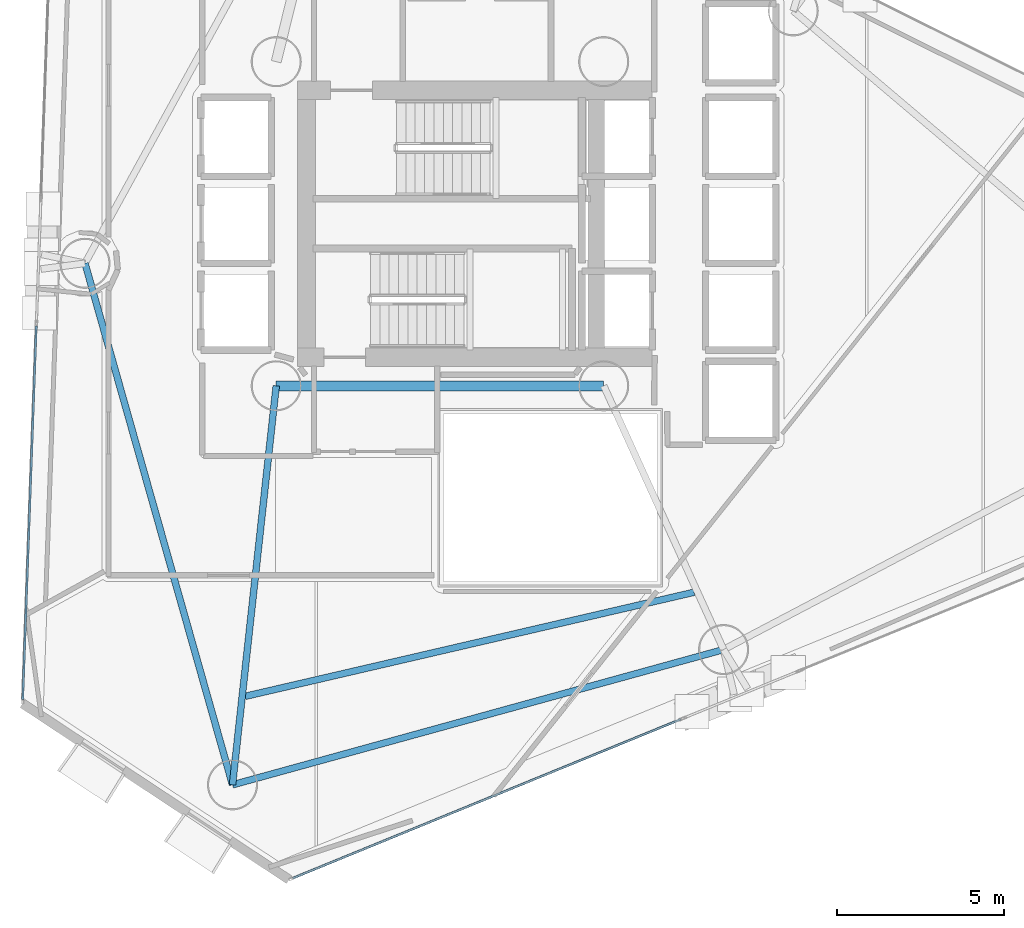
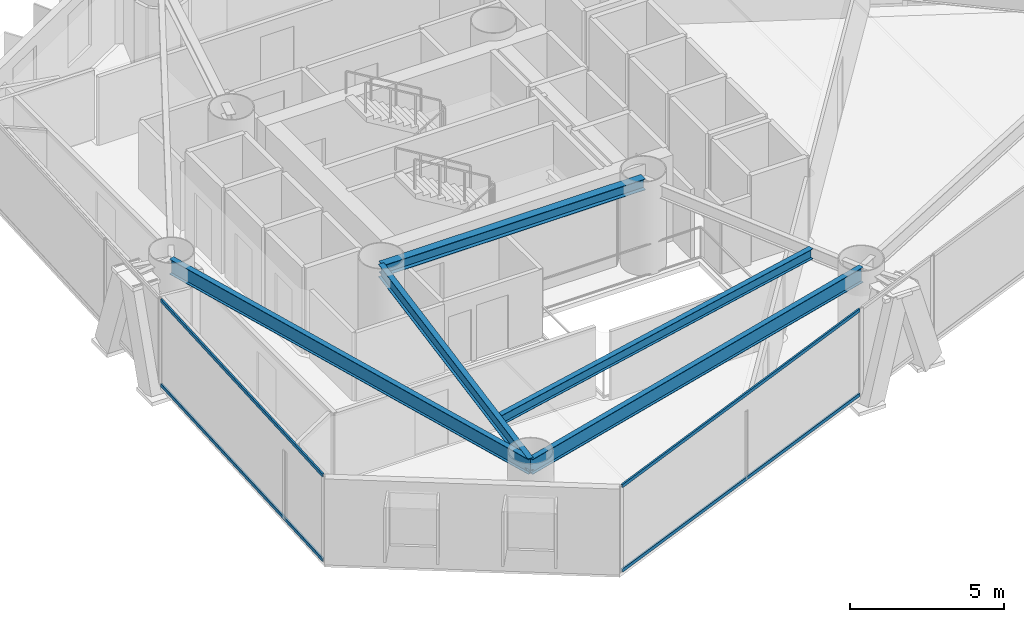
# One storey, part 3 of 22: 5 beams, 4 members, 2 elements without a shape of their own.
"""IFC4 building model written with IfcOpenShell, lengths in metres."""

from ifc_helpers import new_model, si_unit, direction, frame, origin, origin_2d, place, context, subcontext, project, spatial, hollow_rectangle, i_section, extrude, material, layer, layer_set, material_profile, profile_set, type_object, element, aggregate, save


model = new_model("IFC4")

# Units and contexts
model_context = context("Model", 3, precision=1e-05, world=origin(), true_north=direction((0.0, 1.0)))
body_context = subcontext(model_context, "Body", "Model", "MODEL_VIEW")
ifc_project = project(units=[si_unit("LENGTHUNIT", "METRE"), si_unit("AREAUNIT", "SQUARE_METRE"), si_unit("VOLUMEUNIT", "CUBIC_METRE"), si_unit("PLANEANGLEUNIT", "RADIAN"), si_unit("MASSUNIT", "GRAM", prefix="KILO")], contexts=[model_context])

# Site, building, storey
site_placement = place(None, origin())
site = spatial("IfcSite", under=ifc_project, at=site_placement, CompositionType="ELEMENT")
building_placement = place(site_placement, origin())
building = spatial("IfcBuilding", under=site, at=building_placement, Name="Qianvela Tower", CompositionType="ELEMENT")
storey_placement = place(building_placement, frame((0.0, 0.0, 134.800048828125)))
storey = spatial("IfcBuildingStorey", under=building, at=storey_placement, Name="L34", CompositionType="ELEMENT", Elevation=134.800048828125)

# Beams
ifc_material_1 = material(Name="Steel Q355B", Category="steel")
ifc_material_profile_1 = material_profile(ifc_material_1, i_section(OverallWidth=0.300048828125, OverallDepth=0.43994140625, WebThickness=0.010986328125, FlangeThickness=0.01806640625, at=origin_2d()), Name="HM440x300x11x18")
ifc_profile_set_1 = profile_set([ifc_material_profile_1], Name="Steel Q355B")
beam_type_1 = type_object("IfcBeamType", Name="BM-HM440-COLL", PredefinedType="BEAM", material=ifc_profile_set_1)
beam_1_placement = place(storey_placement, frame((28.60009765625, 23.85009765625, 3.177978515625), z_axis=(1.0, 0.0, 0.0), x_axis=(0.0, 1.0, 0.0)))
element("IfcBeam", 1, at=beam_1_placement, inside=storey, type_object=beam_type_1, Name="L34 Core Ring Collector Girder CC1", PredefinedType="BEAM", context=body_context, shape_type="SweptSolid", body=[
    extrude(i_section(OverallWidth=0.300048828125, OverallDepth=0.43994140625, WebThickness=0.010986328125, FlangeThickness=0.01806640625, at=origin_2d()), origin(), (0.0, 0.0, 1.0), 9.7998046875),
])
ifc_material_2 = material(Name="Steel Q355B", Category="steel")
ifc_material_profile_2 = material_profile(ifc_material_2, i_section(OverallWidth=0.199951171875, OverallDepth=0.39990234375, WebThickness=0.008056640625, FlangeThickness=0.012939453125, at=origin_2d()), Name="HN400x200x8x13")
ifc_profile_set_2 = profile_set([ifc_material_profile_2], Name="Steel Q355B")
beam_type_2 = type_object("IfcBeamType", Name="BM-HN400-JOIST", PredefinedType="JOIST", material=ifc_profile_set_2)
beam_2_placement = place(storey_placement, frame((27.67333984375, 14.5576171875, 3.197998046875), z_axis=(0.974157898668, 0.225868077567, 0.0), x_axis=(-0.225868077567, 0.974157898668, 0.0)))
element("IfcBeam", 2, at=beam_2_placement, inside=storey, type_object=beam_type_2, Name="L34 Secondary Composite Floor Joist 5.3", PredefinedType="JOIST", context=body_context, shape_type="SweptSolid", body=[
    extrude(i_section(OverallWidth=0.199951171875, OverallDepth=0.39990234375, WebThickness=0.008056640625, FlangeThickness=0.012939453125, at=origin_2d()), origin(), (0.0, 0.0, 1.0), 13.787841796875),
])
ifc_material_3 = material(Name="Steel Q355B", Category="steel")
ifc_material_profile_3 = material_profile(ifc_material_3, i_section(OverallWidth=0.199951171875, OverallDepth=0.5, WebThickness=0.010009765625, FlangeThickness=0.01611328125, at=origin_2d()), Name="HN500x200x10x16")
ifc_profile_set_3 = profile_set([ifc_material_profile_3], Name="Steel Q355B")
beam_type_3 = type_object("IfcBeamType", Name="BM-HN500-GIRD", PredefinedType="BEAM", material=ifc_profile_set_3)
beam_3_placement = place(storey_placement, frame((28.60009765625, 23.85009765625, 3.14794921875), z_axis=(-0.108894474914, -0.994053315136, 0.0), x_axis=(0.994053315136, -0.108894474914, 0.0)))
element("IfcBeam", 3, at=beam_3_placement, inside=storey, type_object=beam_type_3, Name="L34 Radial Primary Floor Girder 5", PredefinedType="BEAM", context=body_context, shape_type="SweptSolid", body=[
    extrude(i_section(OverallWidth=0.199951171875, OverallDepth=0.5, WebThickness=0.010009765625, FlangeThickness=0.01611328125, at=origin_2d()), origin(), (0.0, 0.0, 1.0), 12.0126953125),
])
ifc_material_4 = material(Name="Steel Q355B", Category="steel")
ifc_material_profile_4 = material_profile(ifc_material_4, i_section(OverallWidth=0.199951171875, OverallDepth=0.60009765625, WebThickness=0.010986328125, FlangeThickness=0.01708984375, at=origin_2d()), Name="HN600x200x11x17")
ifc_profile_set_4 = profile_set([ifc_material_profile_4], Name="Steel Q355B")
beam_type_4 = type_object("IfcBeamType", Name="BM-HN600-GIRD", PredefinedType="BEAM", material=ifc_profile_set_4)
beam_4_placement = place(storey_placement, frame((22.8779296875, 27.51611328125, 3.097900390625), z_axis=(0.272147602289, -0.962255518336, 0.0), x_axis=(0.962255518336, 0.272147602289, 0.0)))
element("IfcBeam", 4, at=beam_4_placement, inside=storey, type_object=beam_type_4, Name="L34 Perimeter Ring Spandrel Girder 4", PredefinedType="BEAM", context=body_context, shape_type="SweptSolid", body=[
    extrude(i_section(OverallWidth=0.199951171875, OverallDepth=0.60009765625, WebThickness=0.010986328125, FlangeThickness=0.01708984375, at=origin_2d()), origin(), (0.0, 0.0, 1.0), 16.219482421875),
])
beam_5_placement = place(storey_placement, frame((27.2919921875, 11.908935546875, 3.097900390625), z_axis=(0.964093212083, 0.265564075912, 0.0), x_axis=(-0.265564075912, 0.964093212083, 0.0)))
element("IfcBeam", 5, at=beam_5_placement, inside=storey, type_object=beam_type_4, Name="L34 Perimeter Ring Spandrel Girder 5", PredefinedType="BEAM", context=body_context, shape_type="SweptSolid", body=[
    extrude(i_section(OverallWidth=0.199951171875, OverallDepth=0.60009765625, WebThickness=0.010986328125, FlangeThickness=0.01708984375, at=origin_2d()), origin(), (0.0, 0.0, 1.0), 15.243408203125),
])

# Curtain wall, members
ifc_material_5 = material(Name="Anodised Architectural Aluminium and Low-E Glass", Category="aluminium")
ifc_layer = layer(ifc_material_5, 0.169921875)
ifc_layer_set = layer_set([ifc_layer], Name="Anodised Architectural Aluminium and Low-E Glass")
curtain_wall_type = type_object("IfcCurtainWallType", Name="CW-COLIV-Z34", PredefinedType="USERDEFINED", material=ifc_layer_set)
curtain_wall_1_placement = place(storey_placement, origin())
curtain_wall_1 = element("IfcCurtainWall", 6, at=curtain_wall_1_placement, inside=storey, type_object=curtain_wall_type, Name="L34 CW-COLIV-Z34 Curtain Wall 04C", ObjectType="CURTAIN_WALL_SYSTEM", PredefinedType="USERDEFINED")
ifc_material_6 = material(Name="Anodised Architectural Aluminium 6063-T6", Category="aluminium")
ifc_material_profile_5 = material_profile(ifc_material_6, hollow_rectangle(XDim=0.06494140625, YDim=0.1298828125, WallThickness=0.00439453125, at=origin_2d()), Name="ALU-TRAN-65x130")
ifc_profile_set_5 = profile_set([ifc_material_profile_5], Name="Anodised Architectural Aluminium 6063-T6")
member_type = type_object("IfcMemberType", Name="CW-COLIV-Z34-TRAN", PredefinedType="USERDEFINED", material=ifc_profile_set_5)
member_1_placement = place(storey_placement, frame((21.420166015625, 25.637939453125, 0.032470703125), z_axis=(-0.03628613138, -0.999341441485, 0.0), x_axis=(0.999341441485, -0.03628613138, 0.0)))
member_1 = element("IfcMember", 7, at=member_1_placement, type_object=member_type, Name="CW-4 transom 1.1", ObjectType="TRANSOM", PredefinedType="USERDEFINED", context=body_context, shape_type="SweptSolid", body=[
    extrude(hollow_rectangle(XDim=0.06494140625, YDim=0.1298828125, WallThickness=0.00439453125, at=origin_2d()), origin(), (0.0, 0.0, 1.0), 11.18896484375),
])
member_2_placement = place(storey_placement, frame((21.420166015625, 25.637939453125, 3.367431640625), z_axis=(-0.03628613138, -0.999341441485, 0.0), x_axis=(0.999341441485, -0.03628613138, 0.0)))
member_2 = element("IfcMember", 8, at=member_2_placement, type_object=member_type, Name="CW-4 transom 1.2", ObjectType="TRANSOM", PredefinedType="USERDEFINED", context=body_context, shape_type="SweptSolid", body=[
    extrude(hollow_rectangle(XDim=0.06494140625, YDim=0.1298828125, WallThickness=0.00439453125, at=origin_2d()), origin(), (0.0, 0.0, 1.0), 11.18896484375),
])
aggregate(curtain_wall_1, [member_1, member_2])

curtain_wall_2_placement = place(storey_placement, origin())
curtain_wall_2 = element("IfcCurtainWall", 9, at=curtain_wall_2_placement, inside=storey, type_object=curtain_wall_type, Name="L34 CW-COLIV-Z34 Curtain Wall 06A", ObjectType="CURTAIN_WALL_SYSTEM", PredefinedType="USERDEFINED")
member_3_placement = place(storey_placement, frame((29.0908203125, 9.11376953125, 0.032470703125), z_axis=(0.925390387223, 0.379015344327, 0.0), x_axis=(-0.379015344327, 0.925390387223, 0.0)))
member_3 = element("IfcMember", 10, at=member_3_placement, type_object=member_type, Name="CW-4 transom 1.1", ObjectType="TRANSOM", PredefinedType="USERDEFINED", context=body_context, shape_type="SweptSolid", body=[
    extrude(hollow_rectangle(XDim=0.06494140625, YDim=0.1298828125, WallThickness=0.00439453125, at=origin_2d()), origin(), (0.0, 0.0, 1.0), 12.5498046875),
])
member_4_placement = place(storey_placement, frame((29.0908203125, 9.11376953125, 3.367431640625), z_axis=(0.925390387223, 0.379015344327, 0.0), x_axis=(-0.379015344327, 0.925390387223, 0.0)))
member_4 = element("IfcMember", 11, at=member_4_placement, type_object=member_type, Name="CW-4 transom 1.2", ObjectType="TRANSOM", PredefinedType="USERDEFINED", context=body_context, shape_type="SweptSolid", body=[
    extrude(hollow_rectangle(XDim=0.06494140625, YDim=0.1298828125, WallThickness=0.00439453125, at=origin_2d()), origin(), (0.0, 0.0, 1.0), 12.5498046875),
])
aggregate(curtain_wall_2, [member_3, member_4])

save(model, "model.ifc")
